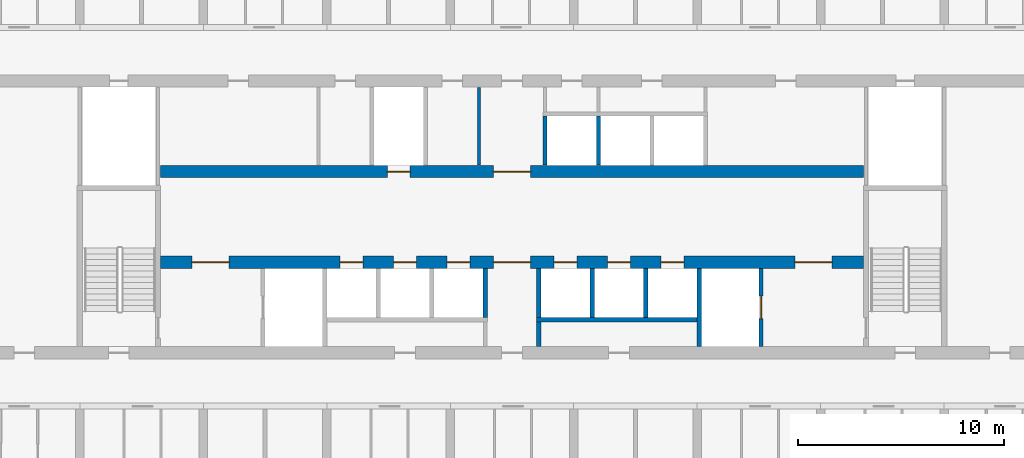
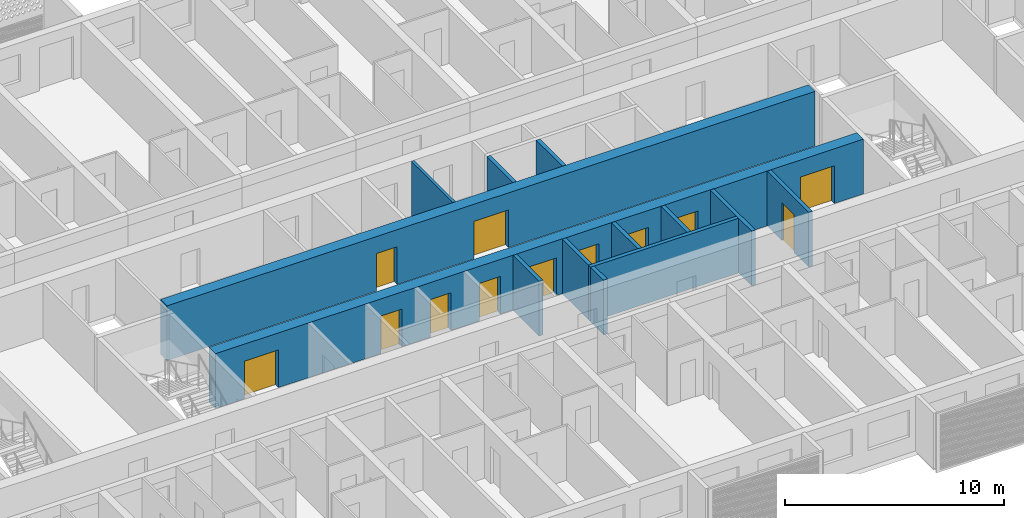
# One storey, part 8 of 40: 13 walls, 12 doors, 12 openings.
"""IFC4 building model written with IfcOpenShell, lengths in metres."""

import ifcopenshell
import ifcopenshell.guid

model = None  # the IFC model being written
_history = None  # IfcOwnerHistory: only IFC2X3 demands one
_inside = {}  # id of a spatial element -> (the spatial element, [elements in it])
_under = {}  # id of a project, library or spatial element -> (it, [spatial elements below it])
_declared = {}  # id of a project -> (the project, [libraries it declares])
_typed = {}  # id of a type object -> (the type object, [elements of that type])
_made_of = {}  # id of a material, layer set ... -> (it, [elements and type objects made of it])


def new_model(schema):
    """Start an empty IFC model of exactly this schema.

    Asked for "IFC4X3", IfcOpenShell would pick the latest addendum, in which some entities
    have other attributes; the version numbers below select the first issue.
    IFC2X3 requires an IfcOwnerHistory on every rooted entity: one is made here for all.
    """
    global model, _history
    if schema == "IFC4X3":
        model = ifcopenshell.file(schema_version=(4, 3, 0, 0))
    else:
        model = ifcopenshell.file(schema=schema)
    _inside.clear()
    _under.clear()
    _declared.clear()
    _typed.clear()
    _made_of.clear()
    _history = None
    if model.schema == "IFC2X3":
        org = make("IfcOrganization", Name="unknown")
        user = make(
            "IfcPersonAndOrganization",
            ThePerson=make("IfcPerson", FamilyName="unknown"),
            TheOrganization=org,
        )
        app = make(
            "IfcApplication",
            ApplicationDeveloper=org,
            Version="unknown",
            ApplicationFullName="unknown",
            ApplicationIdentifier="unknown",
        )
        _history = make(
            "IfcOwnerHistory",
            OwningUser=user,
            OwningApplication=app,
            ChangeAction="ADDED",
            CreationDate=0,
        )
    return model


def make(cls, **values):
    """One entity of the class cls with the attributes given. An attribute that is None is left unset."""
    return model.create_entity(
        cls, **{name: value for name, value in values.items() if value is not None}
    )


def rooted(cls, **values):
    """An entity with a GlobalId (a new one), such as an element, a storey or a relation."""
    return make(cls, GlobalId=ifcopenshell.guid.new(), OwnerHistory=_history, **values)


def si_unit(unit_type, name, prefix=None):
    """IfcSIUnit, for example si_unit("LENGTHUNIT", "METRE", prefix="MILLI")."""
    return make("IfcSIUnit", UnitType=unit_type, Prefix=prefix, Name=name)


def assignment(units):
    """IfcUnitAssignment: the units of a project."""
    return None if units is None else make("IfcUnitAssignment", Units=units)


def point(xyz):
    """IfcCartesianPoint."""
    return None if xyz is None else make("IfcCartesianPoint", Coordinates=xyz)


def direction(xyz):
    """IfcDirection."""
    return None if xyz is None else make("IfcDirection", DirectionRatios=xyz)


def frame(location, z_axis=None, x_axis=None):
    """IfcAxis2Placement3D, a coordinate frame: its origin and axes. An axis left out is left unset."""
    return make(
        "IfcAxis2Placement3D",
        Location=point(location),
        Axis=direction(z_axis),
        RefDirection=direction(x_axis),
    )


def frame_2d(location, x_axis=None):
    """IfcAxis2Placement2D, a coordinate frame in the plane: its origin and x axis."""
    return make(
        "IfcAxis2Placement2D", Location=point(location), RefDirection=direction(x_axis)
    )


def origin():
    """The frame at (0, 0, 0) with its axes left unset."""
    return frame((0.0, 0.0, 0.0))


def place(relative_to, where):
    """IfcLocalPlacement: puts the frame where relative to a parent placement (None: the world)."""
    return make(
        "IfcLocalPlacement", PlacementRelTo=relative_to, RelativePlacement=where
    )


def context(
    kind, dimensions, precision=None, world=None, true_north=None, identifier=None
):
    """IfcGeometricRepresentationContext, for example the 3D "Model" context."""
    return make(
        "IfcGeometricRepresentationContext",
        ContextIdentifier=identifier,
        ContextType=kind,
        CoordinateSpaceDimension=dimensions,
        Precision=precision,
        WorldCoordinateSystem=world,
        TrueNorth=true_north,
    )


def subcontext(parent, identifier, kind, view, scale=None):
    """IfcGeometricRepresentationSubContext, for example "Body" below "Model"."""
    return make(
        "IfcGeometricRepresentationSubContext",
        ContextIdentifier=identifier,
        ContextType=kind,
        ParentContext=parent,
        TargetScale=scale,
        TargetView=view,
    )


def project(units=None, contexts=None):
    """IfcProject with its units and contexts."""
    return rooted(
        "IfcProject",
        Name="project",
        RepresentationContexts=contexts,
        UnitsInContext=assignment(units),
    )


def spatial(cls, under=None, at=None, **own):
    """A site, building, storey or space (cls), placed at a placement, below another one or the project."""
    s = rooted(cls, ObjectPlacement=at, **own)
    if under is not None:
        _under.setdefault(under.id(), (under, []))[1].append(s)
    return s


def profile(cls, at=None, kind="AREA", **sizes):
    """A parametric profile (cls). Its sizes go by their IFC names, for example OverallWidth=200.0."""
    return make(cls, ProfileType=kind, Position=at, **sizes)


def rectangle(**sizes):
    """IfcRectangleProfileDef."""
    return profile("IfcRectangleProfileDef", **sizes)


def extrude(swept, where, along, depth):
    """IfcExtrudedAreaSolid: the profile swept, set in the frame where, extruded along a direction by depth."""
    return make(
        "IfcExtrudedAreaSolid",
        SweptArea=swept,
        Position=where,
        ExtrudedDirection=direction(along),
        Depth=depth,
    )


def shape(context_of_items, identifier, shape_type, items):
    """IfcShapeRepresentation: the items that make up one representation, for example the "Body"."""
    return make(
        "IfcShapeRepresentation",
        ContextOfItems=context_of_items,
        RepresentationIdentifier=identifier,
        RepresentationType=shape_type,
        Items=items,
    )


def material(Name=None, Category=None):
    """IfcMaterial."""
    return make("IfcMaterial", Name=Name, Category=Category)


def layer(
    of_material, thickness, ventilated=None, Name=None, Category=None, Priority=None
):
    """IfcMaterialLayer: one layer of a wall or slab, of a material (None: an air gap)."""
    return make(
        "IfcMaterialLayer",
        Material=of_material,
        LayerThickness=thickness,
        IsVentilated=ventilated,
        Name=Name,
        Category=Category,
        Priority=Priority,
    )


def layer_set(layers, Name=None):
    """IfcMaterialLayerSet."""
    return make("IfcMaterialLayerSet", MaterialLayers=layers, LayerSetName=Name)


def made_of(thing, what):
    """Note that an element or type object is made of a material, layer set ...; save() writes the relation."""
    if what is not None:
        _made_of.setdefault(what.id(), (what, []))[1].append(thing)
    return thing


def type_object(cls, material=None, **own):
    """A type object (cls), such as IfcWallType, which elements share."""
    return made_of(rooted(cls, **own), material)


def element(
    cls,
    number,
    at=None,
    inside=None,
    cuts=None,
    type_object=None,
    material=None,
    context=None,
    identifier="Body",
    shape_type=None,
    held_by="IfcProductDefinitionShape",
    body=None,
    shapes=None,
    **own,
):
    """One element of the class cls, such as IfcWall. Its Tag is "e" and its number.

    at: its placement. inside: the storey or other place that contains it. cuts: it is an
    opening in that element (IfcRelVoidsElement). A single representation is given by context,
    identifier, shape_type and body (its items); several are given by shapes. held_by: the class
    of the entity that holds the representations. save() writes the other relations.
    """
    e = rooted(cls, Tag="e%d" % number, ObjectPlacement=at, **own)
    if body is not None:
        shapes = [shape(context, identifier, shape_type, body)]
    if shapes is not None:
        e.Representation = make(held_by, Representations=shapes)
    if inside is not None:
        _inside.setdefault(inside.id(), (inside, []))[1].append(e)
    if cuts is not None:
        rooted(
            "IfcRelVoidsElement", RelatingBuildingElement=cuts, RelatedOpeningElement=e
        )
    if type_object is not None:
        _typed.setdefault(type_object.id(), (type_object, []))[1].append(e)
    return made_of(e, material)


def fill(opening, filler):
    """IfcRelFillsElement: the door or window that sits in an opening."""
    return rooted(
        "IfcRelFillsElement",
        RelatingOpeningElement=opening,
        RelatedBuildingElement=filler,
    )


def aggregate(whole, parts):
    """IfcRelAggregates: a whole, such as a stair, and the parts it consists of."""
    return rooted("IfcRelAggregates", RelatingObject=whole, RelatedObjects=parts)


def save(model, path):
    """Write the relations noted so far, then the file.

    IfcRelAggregates (storeys below a building ...), IfcRelContainedInSpatialStructure (elements
    in a storey), IfcRelDefinesByType, IfcRelAssociatesMaterial and IfcRelDeclares: one each for
    every whole, place, type object, material and project.
    """
    for whole, parts in _under.values():
        aggregate(whole, parts)
    for where, things in _inside.values():
        rooted(
            "IfcRelContainedInSpatialStructure",
            RelatedElements=things,
            RelatingStructure=where,
        )
    for kind, things in _typed.values():
        rooted("IfcRelDefinesByType", RelatedObjects=things, RelatingType=kind)
    for what, things in _made_of.values():
        rooted("IfcRelAssociatesMaterial", RelatedObjects=things, RelatingMaterial=what)
    for by, libraries in _declared.values():
        rooted("IfcRelDeclares", RelatingContext=by, RelatedDefinitions=libraries)
    model.write(path)


model = new_model("IFC4")

# Units and contexts
model_context = context("Model", 3, precision=1e-05, world=origin(), true_north=direction((0.0, 1.0)))
body_context = subcontext(model_context, "Body", "Model", "MODEL_VIEW")
ifc_project = project(units=[si_unit("LENGTHUNIT", "METRE"), si_unit("AREAUNIT", "SQUARE_METRE"), si_unit("VOLUMEUNIT", "CUBIC_METRE"), si_unit("PLANEANGLEUNIT", "RADIAN"), si_unit("MASSUNIT", "GRAM", prefix="KILO")], contexts=[model_context])

# Site, building, storey
site_placement = place(None, origin())
site = spatial("IfcSite", under=ifc_project, at=site_placement, CompositionType="ELEMENT")
building_placement = place(site_placement, origin())
building = spatial("IfcBuilding", under=site, at=building_placement, Name="Poui Terraces", CompositionType="ELEMENT")
storey_placement = place(building_placement, frame((0.0, 0.0, 33.300048828125)))
storey = spatial("IfcBuildingStorey", under=building, at=storey_placement, Name="L08", CompositionType="ELEMENT", Elevation=33.300048828125)

# Wall, openings, doors
ifc_material_1 = material(Name="Concrete 80 MPa", Category="concrete")
ifc_layer_1 = layer(ifc_material_1, 0.60009765625)
ifc_layer_set_1 = layer_set([ifc_layer_1], Name="Concrete 80 MPa")
wall_type_1 = type_object("IfcWallType", Name="CORE WALL 600 80 MPA", PredefinedType="SOLIDWALL", material=ifc_layer_set_1)
wall_1_placement = place(storey_placement, frame((33.925048828125, 19.0, 0.0), z_axis=(0.0, 0.0, 1.0), x_axis=(1.0, 0.0, 0.0)))
wall_1 = element("IfcWall", 1, at=wall_1_placement, inside=storey, type_object=wall_type_1, Name="CORE WALL", PredefinedType="SOLIDWALL", context=body_context, shape_type="SweptSolid", body=[
    extrude(rectangle(XDim=34.14990234375, YDim=0.60009765625, at=frame_2d((17.074951171875, 0.0))), origin(), (0.0, 0.0, 1.0), 3.050048828125),
])
opening_1_placement = place(wall_1_placement, frame((16.175048828125, 0.0, 0.0)))
opening_1 = element("IfcOpeningElement", 2, at=opening_1_placement, cuts=wall_1, Name="Opening FDD60", PredefinedType="OPENING", context=body_context, shape_type="SweptSolid", body=[
    extrude(rectangle(XDim=1.800048828125, YDim=2.10009765625, at=frame_2d((0.89990234375, 1.050048828125))), frame((0.0, 0.31005859375, 0.0), z_axis=(0.0, -1.0, 0.0), x_axis=(1.0, 0.0, 0.0)), (0.0, 0.0, 1.0), 0.6201171875),
])
opening_2_placement = place(wall_1_placement, frame((1.52490234375, 0.0, 0.0)))
opening_2 = element("IfcOpeningElement", 3, at=opening_2_placement, cuts=wall_1, Name="Opening FDD60", PredefinedType="OPENING", context=body_context, shape_type="SweptSolid", body=[
    extrude(rectangle(XDim=1.800048828125, YDim=2.10009765625, at=frame_2d((0.89990234375, 1.050048828125))), frame((0.0, 0.31005859375, 0.0), z_axis=(0.0, -1.0, 0.0), x_axis=(1.0, 0.0, 0.0)), (0.0, 0.0, 1.0), 0.6201171875),
])
opening_3_placement = place(wall_1_placement, frame((8.72509765625, 0.0, 0.0)))
opening_3 = element("IfcOpeningElement", 4, at=opening_3_placement, cuts=wall_1, Name="Opening LD", PredefinedType="OPENING", context=body_context, shape_type="SweptSolid", body=[
    extrude(rectangle(XDim=1.10009765625, YDim=2.10009765625, at=frame_2d((0.550048828125, 1.050048828125))), frame((0.0, 0.31005859375, 0.0), z_axis=(0.0, -1.0, 0.0), x_axis=(1.0, 0.0, 0.0)), (0.0, 0.0, 1.0), 0.6201171875),
])
opening_4_placement = place(wall_1_placement, frame((11.324951171875, 0.0, 0.0)))
opening_4 = element("IfcOpeningElement", 5, at=opening_4_placement, cuts=wall_1, Name="Opening LD", PredefinedType="OPENING", context=body_context, shape_type="SweptSolid", body=[
    extrude(rectangle(XDim=1.10009765625, YDim=2.10009765625, at=frame_2d((0.550048828125, 1.050048828125))), frame((0.0, 0.31005859375, 0.0), z_axis=(0.0, -1.0, 0.0), x_axis=(1.0, 0.0, 0.0)), (0.0, 0.0, 1.0), 0.6201171875),
])
opening_5_placement = place(wall_1_placement, frame((13.925048828125, 0.0, 0.0)))
opening_5 = element("IfcOpeningElement", 6, at=opening_5_placement, cuts=wall_1, Name="Opening LD", PredefinedType="OPENING", context=body_context, shape_type="SweptSolid", body=[
    extrude(rectangle(XDim=1.10009765625, YDim=2.10009765625, at=frame_2d((0.550048828125, 1.050048828125))), frame((0.0, 0.31005859375, 0.0), z_axis=(0.0, -1.0, 0.0), x_axis=(1.0, 0.0, 0.0)), (0.0, 0.0, 1.0), 0.6201171875),
])
opening_6_placement = place(wall_1_placement, frame((19.125, 0.0, 0.0)))
opening_6 = element("IfcOpeningElement", 7, at=opening_6_placement, cuts=wall_1, Name="Opening LD", PredefinedType="OPENING", context=body_context, shape_type="SweptSolid", body=[
    extrude(rectangle(XDim=1.10009765625, YDim=2.10009765625, at=frame_2d((0.550048828125, 1.050048828125))), frame((0.0, 0.31005859375, 0.0), z_axis=(0.0, -1.0, 0.0), x_axis=(1.0, 0.0, 0.0)), (0.0, 0.0, 1.0), 0.6201171875),
])
opening_7_placement = place(wall_1_placement, frame((21.72509765625, 0.0, 0.0)))
opening_7 = element("IfcOpeningElement", 8, at=opening_7_placement, cuts=wall_1, Name="Opening LD", PredefinedType="OPENING", context=body_context, shape_type="SweptSolid", body=[
    extrude(rectangle(XDim=1.10009765625, YDim=2.10009765625, at=frame_2d((0.550048828125, 1.050048828125))), frame((0.0, 0.31005859375, 0.0), z_axis=(0.0, -1.0, 0.0), x_axis=(1.0, 0.0, 0.0)), (0.0, 0.0, 1.0), 0.6201171875),
])
opening_8_placement = place(wall_1_placement, frame((24.324951171875, 0.0, 0.0)))
opening_8 = element("IfcOpeningElement", 9, at=opening_8_placement, cuts=wall_1, Name="Opening LD", PredefinedType="OPENING", context=body_context, shape_type="SweptSolid", body=[
    extrude(rectangle(XDim=1.10009765625, YDim=2.10009765625, at=frame_2d((0.550048828125, 1.050048828125))), frame((0.0, 0.31005859375, 0.0), z_axis=(0.0, -1.0, 0.0), x_axis=(1.0, 0.0, 0.0)), (0.0, 0.0, 1.0), 0.6201171875),
])
opening_9_placement = place(wall_1_placement, frame((30.824951171875, 0.0, 0.0)))
opening_9 = element("IfcOpeningElement", 10, at=opening_9_placement, cuts=wall_1, Name="Opening FDD60", PredefinedType="OPENING", context=body_context, shape_type="SweptSolid", body=[
    extrude(rectangle(XDim=1.800048828125, YDim=2.10009765625, at=frame_2d((0.89990234375, 1.050048828125))), frame((0.0, 0.31005859375, 0.0), z_axis=(0.0, -1.0, 0.0), x_axis=(1.0, 0.0, 0.0)), (0.0, 0.0, 1.0), 0.6201171875),
])
ifc_material_2 = material(Name="Steel fire door", Category="steel")
door_type_1 = type_object("IfcDoorType", Name="DOUBLE LOBBY FIRE DOOR 1800 X 2100", OperationType="DOUBLE_DOOR_SINGLE_SWING", PredefinedType="DOOR", material=ifc_material_2)
door_1_placement = place(opening_1_placement, frame((1.800048828125, 0.0, 0.0), z_axis=(0.0, 0.0, 1.0), x_axis=(-1.0, 0.0, 0.0)))
door_1 = element("IfcDoor", 11, at=door_1_placement, inside=storey, type_object=door_type_1, Name="DOUBLE LOBBY FIRE DOOR 154", OperationType="DOUBLE_DOOR_SINGLE_SWING", OverallHeight=2.10009765625, OverallWidth=1.800048828125, PredefinedType="DOOR", context=body_context, shape_type="SweptSolid", body=[
    extrude(rectangle(XDim=1.800048828125, YDim=2.10009765625, at=frame_2d((0.89990234375, 1.050048828125))), frame((0.0, 0.02490234375, 0.0), z_axis=(0.0, -1.0, 0.0), x_axis=(1.0, 0.0, 0.0)), (0.0, 0.0, 1.0), 0.050048828125),
])
fill(opening_1, door_1)
door_2_placement = place(opening_2_placement, origin())
door_2 = element("IfcDoor", 12, at=door_2_placement, inside=storey, type_object=door_type_1, Name="DOUBLE LOBBY FIRE DOOR 155", OperationType="DOUBLE_DOOR_SINGLE_SWING", OverallHeight=2.10009765625, OverallWidth=1.800048828125, PredefinedType="DOOR", context=body_context, shape_type="SweptSolid", body=[
    extrude(rectangle(XDim=1.800048828125, YDim=2.10009765625, at=frame_2d((0.89990234375, 1.050048828125))), frame((0.0, 0.02490234375, 0.0), z_axis=(0.0, -1.0, 0.0), x_axis=(1.0, 0.0, 0.0)), (0.0, 0.0, 1.0), 0.050048828125),
])
fill(opening_2, door_2)
door_3_placement = place(opening_9_placement, origin())
door_3 = element("IfcDoor", 13, at=door_3_placement, inside=storey, type_object=door_type_1, Name="DOUBLE LOBBY FIRE DOOR 163", OperationType="DOUBLE_DOOR_SINGLE_SWING", OverallHeight=2.10009765625, OverallWidth=1.800048828125, PredefinedType="DOOR", context=body_context, shape_type="SweptSolid", body=[
    extrude(rectangle(XDim=1.800048828125, YDim=2.10009765625, at=frame_2d((0.89990234375, 1.050048828125))), frame((0.0, 0.02490234375, 0.0), z_axis=(0.0, -1.0, 0.0), x_axis=(1.0, 0.0, 0.0)), (0.0, 0.0, 1.0), 0.050048828125),
])
fill(opening_9, door_3)
ifc_material_3 = material(Name="Stainless steel sliding door", Category="steel")
door_type_2 = type_object("IfcDoorType", Name="LIFT LANDING DOOR 1100 X 2100", OperationType="DOUBLE_DOOR_SLIDING", PredefinedType="DOOR", material=ifc_material_3)
door_4_placement = place(opening_3_placement, origin())
door_4 = element("IfcDoor", 14, at=door_4_placement, inside=storey, type_object=door_type_2, Name="LANDING DOOR", OperationType="DOUBLE_DOOR_SLIDING", OverallHeight=2.10009765625, OverallWidth=1.10009765625, PredefinedType="DOOR", context=body_context, shape_type="SweptSolid", body=[
    extrude(rectangle(XDim=1.10009765625, YDim=2.10009765625, at=frame_2d((0.550048828125, 1.050048828125))), frame((0.0, 0.02490234375, 0.0), z_axis=(0.0, -1.0, 0.0), x_axis=(1.0, 0.0, 0.0)), (0.0, 0.0, 1.0), 0.050048828125),
])
fill(opening_3, door_4)
door_5_placement = place(opening_4_placement, origin())
door_5 = element("IfcDoor", 15, at=door_5_placement, inside=storey, type_object=door_type_2, Name="LANDING DOOR", OperationType="DOUBLE_DOOR_SLIDING", OverallHeight=2.10009765625, OverallWidth=1.10009765625, PredefinedType="DOOR", context=body_context, shape_type="SweptSolid", body=[
    extrude(rectangle(XDim=1.10009765625, YDim=2.10009765625, at=frame_2d((0.550048828125, 1.050048828125))), frame((0.0, 0.02490234375, 0.0), z_axis=(0.0, -1.0, 0.0), x_axis=(1.0, 0.0, 0.0)), (0.0, 0.0, 1.0), 0.050048828125),
])
fill(opening_4, door_5)
door_6_placement = place(opening_5_placement, origin())
door_6 = element("IfcDoor", 16, at=door_6_placement, inside=storey, type_object=door_type_2, Name="LANDING DOOR", OperationType="DOUBLE_DOOR_SLIDING", OverallHeight=2.10009765625, OverallWidth=1.10009765625, PredefinedType="DOOR", context=body_context, shape_type="SweptSolid", body=[
    extrude(rectangle(XDim=1.10009765625, YDim=2.10009765625, at=frame_2d((0.550048828125, 1.050048828125))), frame((0.0, 0.02490234375, 0.0), z_axis=(0.0, -1.0, 0.0), x_axis=(1.0, 0.0, 0.0)), (0.0, 0.0, 1.0), 0.050048828125),
])
fill(opening_5, door_6)
door_7_placement = place(opening_6_placement, origin())
door_7 = element("IfcDoor", 17, at=door_7_placement, inside=storey, type_object=door_type_2, Name="LANDING DOOR", OperationType="DOUBLE_DOOR_SLIDING", OverallHeight=2.10009765625, OverallWidth=1.10009765625, PredefinedType="DOOR", context=body_context, shape_type="SweptSolid", body=[
    extrude(rectangle(XDim=1.10009765625, YDim=2.10009765625, at=frame_2d((0.550048828125, 1.050048828125))), frame((0.0, 0.02490234375, 0.0), z_axis=(0.0, -1.0, 0.0), x_axis=(1.0, 0.0, 0.0)), (0.0, 0.0, 1.0), 0.050048828125),
])
fill(opening_6, door_7)
door_8_placement = place(opening_7_placement, origin())
door_8 = element("IfcDoor", 18, at=door_8_placement, inside=storey, type_object=door_type_2, Name="LANDING DOOR", OperationType="DOUBLE_DOOR_SLIDING", OverallHeight=2.10009765625, OverallWidth=1.10009765625, PredefinedType="DOOR", context=body_context, shape_type="SweptSolid", body=[
    extrude(rectangle(XDim=1.10009765625, YDim=2.10009765625, at=frame_2d((0.550048828125, 1.050048828125))), frame((0.0, 0.02490234375, 0.0), z_axis=(0.0, -1.0, 0.0), x_axis=(1.0, 0.0, 0.0)), (0.0, 0.0, 1.0), 0.050048828125),
])
fill(opening_7, door_8)
door_9_placement = place(opening_8_placement, origin())
door_9 = element("IfcDoor", 19, at=door_9_placement, inside=storey, type_object=door_type_2, Name="LANDING DOOR", OperationType="DOUBLE_DOOR_SLIDING", OverallHeight=2.10009765625, OverallWidth=1.10009765625, PredefinedType="DOOR", context=body_context, shape_type="SweptSolid", body=[
    extrude(rectangle(XDim=1.10009765625, YDim=2.10009765625, at=frame_2d((0.550048828125, 1.050048828125))), frame((0.0, 0.02490234375, 0.0), z_axis=(0.0, -1.0, 0.0), x_axis=(1.0, 0.0, 0.0)), (0.0, 0.0, 1.0), 0.050048828125),
])
fill(opening_8, door_9)

wall_2_placement = place(storey_placement, frame((33.925048828125, 23.39990234375, 0.0), z_axis=(0.0, 0.0, 1.0), x_axis=(1.0, 0.0, 0.0)))
wall_2 = element("IfcWall", 20, at=wall_2_placement, inside=storey, type_object=wall_type_1, Name="CORE WALL", PredefinedType="SOLIDWALL", context=body_context, shape_type="SweptSolid", body=[
    extrude(rectangle(XDim=34.14990234375, YDim=0.60009765625, at=frame_2d((17.074951171875, 0.0))), origin(), (0.0, 0.0, 1.0), 3.050048828125),
])
opening_10_placement = place(wall_2_placement, frame((16.175048828125, 0.0, 0.0)))
opening_10 = element("IfcOpeningElement", 21, at=opening_10_placement, cuts=wall_2, Name="Opening FDD60", PredefinedType="OPENING", context=body_context, shape_type="SweptSolid", body=[
    extrude(rectangle(XDim=1.800048828125, YDim=2.10009765625, at=frame_2d((0.89990234375, 1.050048828125))), frame((0.0, 0.31005859375, 0.0), z_axis=(0.0, -1.0, 0.0), x_axis=(1.0, 0.0, 0.0)), (0.0, 0.0, 1.0), 0.6201171875),
])
opening_11_placement = place(wall_2_placement, frame((11.02490234375, 0.0, 0.0)))
opening_11 = element("IfcOpeningElement", 22, at=opening_11_placement, cuts=wall_2, Name="Opening LD", PredefinedType="OPENING", context=body_context, shape_type="SweptSolid", body=[
    extrude(rectangle(XDim=1.10009765625, YDim=2.10009765625, at=frame_2d((0.550048828125, 1.050048828125))), frame((0.0, 0.31005859375, 0.0), z_axis=(0.0, -1.0, 0.0), x_axis=(1.0, 0.0, 0.0)), (0.0, 0.0, 1.0), 0.6201171875),
])
door_10_placement = place(opening_10_placement, origin())
door_10 = element("IfcDoor", 23, at=door_10_placement, inside=storey, type_object=door_type_1, Name="DOUBLE LOBBY FIRE DOOR 153", OperationType="DOUBLE_DOOR_SINGLE_SWING", OverallHeight=2.10009765625, OverallWidth=1.800048828125, PredefinedType="DOOR", context=body_context, shape_type="SweptSolid", body=[
    extrude(rectangle(XDim=1.800048828125, YDim=2.10009765625, at=frame_2d((0.89990234375, 1.050048828125))), frame((0.0, 0.02490234375, 0.0), z_axis=(0.0, -1.0, 0.0), x_axis=(1.0, 0.0, 0.0)), (0.0, 0.0, 1.0), 0.050048828125),
])
fill(opening_10, door_10)
door_11_placement = place(opening_11_placement, origin())
door_11 = element("IfcDoor", 24, at=door_11_placement, inside=storey, type_object=door_type_2, Name="LANDING DOOR", OperationType="DOUBLE_DOOR_SLIDING", OverallHeight=2.10009765625, OverallWidth=1.10009765625, PredefinedType="DOOR", context=body_context, shape_type="SweptSolid", body=[
    extrude(rectangle(XDim=1.10009765625, YDim=2.10009765625, at=frame_2d((0.550048828125, 1.050048828125))), frame((0.0, 0.02490234375, 0.0), z_axis=(0.0, -1.0, 0.0), x_axis=(1.0, 0.0, 0.0)), (0.0, 0.0, 1.0), 0.050048828125),
])
fill(opening_11, door_11)

# Walls
ifc_material_4 = material(Name="Fire-rated plasterboard wall")
ifc_layer_2 = layer(ifc_material_4, 0.14990234375)
ifc_layer_set_2 = layer_set([ifc_layer_2], Name="Fire-rated plasterboard wall")
wall_type_2 = type_object("IfcWallType", Name="CORRIDOR WALL 150", PredefinedType="PARTITIONING", material=ifc_layer_set_2)
wall_3_placement = place(storey_placement, frame((49.39990234375, 23.7099609375, 0.0), z_axis=(0.0, 0.0, 1.0), x_axis=(0.0, 1.0, 0.0)))
element("IfcWall", 25, at=wall_3_placement, inside=storey, type_object=wall_type_2, Name="CORRIDOR WALL 150", PredefinedType="PARTITIONING", context=body_context, shape_type="SweptSolid", body=[
    extrude(rectangle(XDim=3.780029296875, YDim=0.14990234375, at=frame_2d((1.89013671875, 0.0))), origin(), (0.0, 0.0, 1.0), 3.050048828125),
])
ifc_material_5 = material(Name="Fire-rated masonry wall", Category="masonry")
ifc_layer_3 = layer(ifc_material_5, 0.199951171875)
ifc_layer_set_3 = layer_set([ifc_layer_3], Name="Fire-rated masonry wall")
wall_type_3 = type_object("IfcWallType", Name="PLANT ROOM WALL 200", PredefinedType="PARTITIONING", material=ifc_layer_set_3)
wall_4_placement = place(storey_placement, frame((52.300048828125, 14.909912109375, 0.0), z_axis=(0.0, 0.0, 1.0), x_axis=(0.0, 1.0, 0.0)))
element("IfcWall", 26, at=wall_4_placement, inside=storey, type_object=wall_type_3, Name="PLANT ROOM WALL 200", PredefinedType="PARTITIONING", context=body_context, shape_type="SweptSolid", body=[
    extrude(rectangle(XDim=1.190185546875, YDim=0.199951171875, at=frame_2d((0.59521484375, 0.0))), origin(), (0.0, 0.0, 1.0), 3.050048828125),
])
ifc_material_6 = material(Name="Fire-rated masonry shaft wall", Category="masonry")
ifc_layer_4 = layer(ifc_material_6, 0.199951171875)
ifc_layer_set_4 = layer_set([ifc_layer_4], Name="Fire-rated masonry shaft wall")
wall_type_4 = type_object("IfcWallType", Name="SHAFT WALL 200", PredefinedType="PARTITIONING", material=ifc_layer_set_4)
wall_5_placement = place(storey_placement, frame((52.199951171875, 16.199951171875, 0.0), z_axis=(0.0, 0.0, 1.0), x_axis=(1.0, 0.0, 0.0)))
element("IfcWall", 27, at=wall_5_placement, inside=storey, type_object=wall_type_4, Name="SHAFT WALL 200", PredefinedType="PARTITIONING", context=body_context, shape_type="SweptSolid", body=[
    extrude(rectangle(XDim=7.800048828125, YDim=0.199951171875, at=frame_2d((3.89990234375, 0.0))), origin(), (0.0, 0.0, 1.0), 3.050048828125),
])
for number, where, z_axis, x_axis, name in (
    (28, (49.699951171875, 16.300048828125, 0.0), (0.0, 0.0, 1.0), (0.0, 1.0, 0.0), "SHAFT WALL 200"),
    (29, (52.300048828125, 16.300048828125, 0.0), (0.0, 0.0, 1.0), (0.0, 1.0, 0.0), "SHAFT WALL 200"),
):
    element("IfcWall", number, at=place(storey_placement, frame(where, z_axis=z_axis, x_axis=x_axis)), inside=storey, type_object=wall_type_4, Name=name, PredefinedType="PARTITIONING", context=body_context, shape_type="SweptSolid", body=[
        extrude(rectangle(XDim=2.389892578125, YDim=0.199951171875, at=frame_2d((1.19482421875, 0.0))), origin(), (0.0, 0.0, 1.0), 3.050048828125),
    ])
wall_6_placement = place(storey_placement, frame((52.60009765625, 23.7099609375, 0.0), z_axis=(0.0, 0.0, 1.0), x_axis=(0.0, 1.0, 0.0)))
element("IfcWall", 30, at=wall_6_placement, inside=storey, type_object=wall_type_4, Name="SHAFT WALL 200", PredefinedType="PARTITIONING", context=body_context, shape_type="SweptSolid", body=[
    extrude(rectangle(XDim=2.39013671875, YDim=0.199951171875, at=frame_2d((1.195068359375, 0.0))), origin(), (0.0, 0.0, 1.0), 3.050048828125),
])
wall_7_placement = place(storey_placement, frame((54.89990234375, 16.300048828125, 0.0), z_axis=(0.0, 0.0, 1.0), x_axis=(0.0, 1.0, 0.0)))
element("IfcWall", 31, at=wall_7_placement, inside=storey, type_object=wall_type_4, Name="SHAFT WALL 200", PredefinedType="PARTITIONING", context=body_context, shape_type="SweptSolid", body=[
    extrude(rectangle(XDim=2.389892578125, YDim=0.199951171875, at=frame_2d((1.19482421875, 0.0))), origin(), (0.0, 0.0, 1.0), 3.050048828125),
])
wall_8_placement = place(storey_placement, frame((55.199951171875, 23.7099609375, 0.0), z_axis=(0.0, 0.0, 1.0), x_axis=(0.0, 1.0, 0.0)))
element("IfcWall", 32, at=wall_8_placement, inside=storey, type_object=wall_type_4, Name="SHAFT WALL 200", PredefinedType="PARTITIONING", context=body_context, shape_type="SweptSolid", body=[
    extrude(rectangle(XDim=2.39013671875, YDim=0.199951171875, at=frame_2d((1.195068359375, 0.0))), origin(), (0.0, 0.0, 1.0), 3.050048828125),
])
wall_9_placement = place(storey_placement, frame((57.5, 16.300048828125, 0.0), z_axis=(0.0, 0.0, 1.0), x_axis=(0.0, 1.0, 0.0)))
element("IfcWall", 33, at=wall_9_placement, inside=storey, type_object=wall_type_4, Name="SHAFT WALL 200", PredefinedType="PARTITIONING", context=body_context, shape_type="SweptSolid", body=[
    extrude(rectangle(XDim=2.389892578125, YDim=0.199951171875, at=frame_2d((1.19482421875, 0.0))), origin(), (0.0, 0.0, 1.0), 3.050048828125),
])
wall_10_placement = place(storey_placement, frame((60.10009765625, 14.909912109375, 0.0), z_axis=(0.0, 0.0, 1.0), x_axis=(0.0, 1.0, 0.0)))
element("IfcWall", 34, at=wall_10_placement, inside=storey, type_object=wall_type_4, Name="SHAFT WALL 200", PredefinedType="PARTITIONING", context=body_context, shape_type="SweptSolid", body=[
    extrude(rectangle(XDim=3.780029296875, YDim=0.199951171875, at=frame_2d((1.89013671875, 0.0))), origin(), (0.0, 0.0, 1.0), 3.050048828125),
])

# Wall, opening, door
wall_11_placement = place(storey_placement, frame((63.10009765625, 14.909912109375, 0.0), z_axis=(0.0, 0.0, 1.0), x_axis=(0.0, 1.0, 0.0)))
wall_11 = element("IfcWall", 35, at=wall_11_placement, inside=storey, type_object=wall_type_4, Name="SHAFT WALL 200", PredefinedType="PARTITIONING", context=body_context, shape_type="SweptSolid", body=[
    extrude(rectangle(XDim=3.780029296875, YDim=0.199951171875, at=frame_2d((1.89013671875, 0.0))), origin(), (0.0, 0.0, 1.0), 3.050048828125),
])
opening_12_placement = place(wall_11_placement, frame((1.340087890625, 0.0, 0.0)))
opening_12 = element("IfcOpeningElement", 36, at=opening_12_placement, cuts=wall_11, Name="Opening LD", PredefinedType="OPENING", context=body_context, shape_type="SweptSolid", body=[
    extrude(rectangle(XDim=1.10009765625, YDim=2.10009765625, at=frame_2d((0.550048828125, 1.050048828125))), frame((0.0, 0.10986328125, 0.0), z_axis=(0.0, -1.0, 0.0), x_axis=(1.0, 0.0, 0.0)), (0.0, 0.0, 1.0), 0.219970703125),
])
door_12_placement = place(opening_12_placement, origin())
door_12 = element("IfcDoor", 37, at=door_12_placement, inside=storey, type_object=door_type_2, Name="LANDING DOOR", OperationType="DOUBLE_DOOR_SLIDING", OverallHeight=2.10009765625, OverallWidth=1.10009765625, PredefinedType="DOOR", context=body_context, shape_type="SweptSolid", body=[
    extrude(rectangle(XDim=1.10009765625, YDim=2.10009765625, at=frame_2d((0.550048828125, 1.050048828125))), frame((0.0, 0.02490234375, 0.0), z_axis=(0.0, -1.0, 0.0), x_axis=(1.0, 0.0, 0.0)), (0.0, 0.0, 1.0), 0.050048828125),
])
fill(opening_12, door_12)

save(model, "model.ifc")
